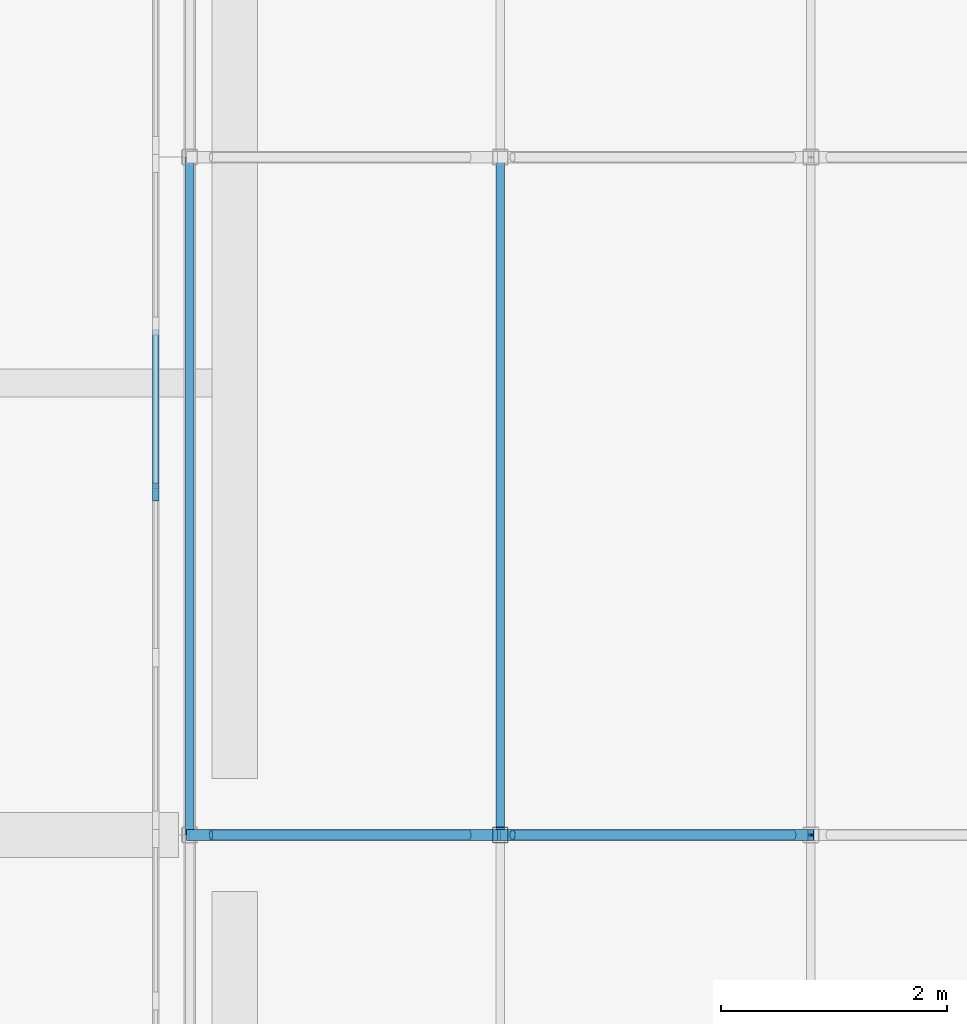
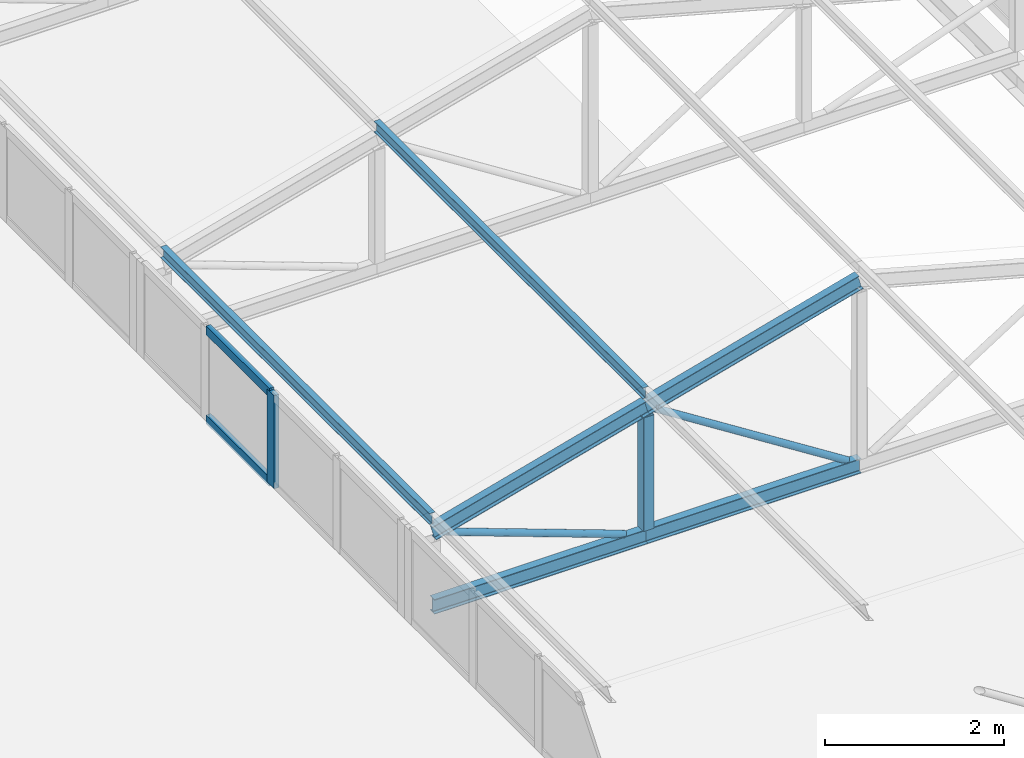
# One storey, part 27 of 94: 12 members, 1 element without a shape of its own.
"""IFC4 building model written with IfcOpenShell, lengths in metres."""

from ifc_helpers import new_model, si_unit, direction, frame, origin, origin_2d, place, context, subcontext, project, spatial, rectangle, hollow_rectangle, hollow_circle, i_section, extrude, material, layer, layer_set, material_profile, profile_set, type_object, element, aggregate, save


model = new_model("IFC4")

# Units and contexts
model_context = context("Model", 3, precision=1e-05, world=origin(), true_north=direction((0.0, 1.0)))
body_context = subcontext(model_context, "Body", "Model", "MODEL_VIEW")
ifc_project = project(units=[si_unit("LENGTHUNIT", "METRE"), si_unit("AREAUNIT", "SQUARE_METRE"), si_unit("VOLUMEUNIT", "CUBIC_METRE"), si_unit("PLANEANGLEUNIT", "RADIAN"), si_unit("MASSUNIT", "GRAM", prefix="KILO")], contexts=[model_context])

# Site, building, storey
site_placement = place(None, origin())
site = spatial("IfcSite", under=ifc_project, at=site_placement, CompositionType="ELEMENT")
building_placement = place(site_placement, origin())
building = spatial("IfcBuilding", under=site, at=building_placement, Name="Lilac Gate Convention Centre", CompositionType="ELEMENT")
storey_placement = place(building_placement, frame((0.0, 0.0, 21.0)))
storey = spatial("IfcBuildingStorey", under=building, at=storey_placement, Name="L04", CompositionType="ELEMENT", Elevation=21.0)

# Curtain wall, members
ifc_material_1 = material(Name="Aluminium framed double glazing", Category="aluminium")
ifc_layer = layer(ifc_material_1, 0.199951171875)
ifc_layer_set = layer_set([ifc_layer], Name="Aluminium framed double glazing")
curtain_wall_type = type_object("IfcCurtainWallType", Name="Unitised curtain wall 1500", PredefinedType="NOTDEFINED", material=ifc_layer_set)
curtain_wall_placement = place(storey_placement, origin())
curtain_wall = element("IfcCurtainWall", 1, at=curtain_wall_placement, inside=storey, type_object=curtain_wall_type, Name="Lantern clerestory W 15", PredefinedType="NOTDEFINED")
ifc_material_2 = material(Name="Aluminium alloy 6063", Category="aluminium")
ifc_material_profile_1 = material_profile(ifc_material_2, rectangle(XDim=0.06005859375, YDim=0.159912109375, at=origin_2d()), Name="Curtain wall mullion 60 x 160")
ifc_profile_set_1 = profile_set([ifc_material_profile_1], Name="Aluminium alloy 6063")
member_type_1 = type_object("IfcMemberType", Name="Curtain wall mullion 60 x 160", PredefinedType="MULLION", material=ifc_profile_set_1)
member_1_placement = place(storey_placement, frame((17.300048828125, 117.03759765625, 0.0), z_axis=(0.0, 0.0, 1.0), x_axis=(-1.0, 0.0, 0.0)))
member_1 = element("IfcMember", 2, at=member_1_placement, type_object=member_type_1, Name="CW mullion 3", PredefinedType="MULLION", context=body_context, shape_type="SweptSolid", body=[
    extrude(rectangle(XDim=0.06005859375, YDim=0.159912109375, at=origin_2d()), origin(), (0.0, 0.0, 1.0), 1.272216796875),
])
ifc_material_profile_2 = material_profile(ifc_material_2, rectangle(XDim=0.06005859375, YDim=0.1201171875, at=origin_2d()), Name="Curtain wall transom 60 x 120")
ifc_profile_set_2 = profile_set([ifc_material_profile_2], Name="Aluminium alloy 6063")
member_type_2 = type_object("IfcMemberType", Name="Curtain wall transom 60 x 120", PredefinedType="USERDEFINED", material=ifc_profile_set_2)
member_2_placement = place(storey_placement, frame((17.300048828125, 117.067626953125, 0.030029296875), z_axis=(0.0, 1.0, 0.0), x_axis=(-1.0, 0.0, 0.0)))
member_2 = element("IfcMember", 3, at=member_2_placement, type_object=member_type_2, Name="CW transom 3.1", ObjectType="TRANSOM", PredefinedType="USERDEFINED", context=body_context, shape_type="SweptSolid", body=[
    extrude(rectangle(XDim=0.06005859375, YDim=0.1201171875, at=origin_2d()), origin(), (0.0, 0.0, 1.0), 1.40869140625),
])
member_3_placement = place(storey_placement, frame((17.300048828125, 117.067626953125, 1.2421875), z_axis=(0.0, 1.0, 0.0), x_axis=(-1.0, 0.0, 0.0)))
member_3 = element("IfcMember", 4, at=member_3_placement, type_object=member_type_2, Name="CW transom 3.2", ObjectType="TRANSOM", PredefinedType="USERDEFINED", context=body_context, shape_type="SweptSolid", body=[
    extrude(rectangle(XDim=0.06005859375, YDim=0.1201171875, at=origin_2d()), origin(), (0.0, 0.0, 1.0), 1.40869140625),
])
aggregate(curtain_wall, [member_1, member_2, member_3])

# Members
ifc_material_3 = material(Name="Steel Q355B", Category="steel")
ifc_material_profile_3 = material_profile(ifc_material_3, i_section(OverallWidth=0.10009765625, OverallDepth=0.199951171875, WebThickness=0.005615234375, FlangeThickness=0.008056640625, FilletRadius=0.008056640625, at=origin_2d()), Name="HN200x100x5.5x8")
ifc_profile_set_3 = profile_set([ifc_material_profile_3], Name="Steel Q355B")
member_type_3 = type_object("IfcMemberType", Name="Lantern bottom chord HN200x100x5.5x8", PredefinedType="CHORD", material=ifc_profile_set_3)
for number, where, z_axis, x_axis, name in (
    (5, (17.60009765625, 114.0, 0.10009765625), (1.0, 0.0, 0.0), (0.0, 1.0, 0.0), "LB1 lantern truss 15 bottom chord 1"),
    (6, (20.35009765625, 114.0, 0.10009765625), (1.0, 0.0, 0.0), (0.0, 1.0, 0.0), "LB1 lantern truss 15 bottom chord 2"),
):
    element("IfcMember", number, at=place(storey_placement, frame(where, z_axis=z_axis, x_axis=x_axis)), inside=storey, type_object=member_type_3, Name=name, PredefinedType="CHORD", context=body_context, shape_type="SweptSolid", body=[
        extrude(i_section(OverallWidth=0.10009765625, OverallDepth=0.199951171875, WebThickness=0.005615234375, FlangeThickness=0.008056640625, FilletRadius=0.008056640625, at=origin_2d()), origin(), (0.0, 0.0, 1.0), 2.75),
    ])
ifc_material_profile_4 = material_profile(ifc_material_3, hollow_circle(Radius=0.04443359375, WallThickness=0.0048828125, at=origin_2d()), Name="CHS88.9x5")
ifc_profile_set_4 = profile_set([ifc_material_profile_4], Name="Steel Q355B")
member_type_4 = type_object("IfcMemberType", Name="Lantern diagonal CHS88.9x5", PredefinedType="BRACE", material=ifc_profile_set_4)
member_4_placement = place(storey_placement, frame((17.789794921875, 114.0, 1.031005859375), z_axis=(0.939781696917, 0.0, -0.341775309434), x_axis=(0.0, 1.0, 0.0)))
element("IfcMember", 7, at=member_4_placement, inside=storey, type_object=member_type_4, Name="LW1 lantern truss 15 diagonal 1", PredefinedType="BRACE", context=body_context, shape_type="SweptSolid", body=[
    extrude(hollow_circle(Radius=0.04443359375, WallThickness=0.0048828125, at=origin_2d()), origin(), (0.0, 0.0, 1.0), 2.431640625),
])
member_5_placement = place(storey_placement, frame((20.45849609375, 114.0, 1.781005859375), z_axis=(0.843647832412, 0.0, -0.536896949951), x_axis=(0.0, 1.0, 0.0)))
element("IfcMember", 8, at=member_5_placement, inside=storey, type_object=member_type_4, Name="LW1 lantern truss 15 diagonal 2", PredefinedType="BRACE", context=body_context, shape_type="SweptSolid", body=[
    extrude(hollow_circle(Radius=0.04443359375, WallThickness=0.0048828125, at=origin_2d()), origin(), (0.0, 0.0, 1.0), 2.94482421875),
])
ifc_material_profile_5 = material_profile(ifc_material_3, hollow_rectangle(XDim=0.139892578125, YDim=0.139892578125, WallThickness=0.0048828125, InnerFilletRadius=0.0048828125, OuterFilletRadius=0.010009765625, at=origin_2d()), Name="SHS140x140x5")
ifc_profile_set_5 = profile_set([ifc_material_profile_5], Name="Steel Q355B")
member_type_5 = type_object("IfcMemberType", Name="Lantern post SHS140x140x5", PredefinedType="STRUT", material=ifc_profile_set_5)
member_6_placement = place(storey_placement, frame((20.35009765625, 114.0, 0.199951171875), z_axis=(0.0, 0.0, 1.0), x_axis=(1.0, 0.0, 0.0)))
element("IfcMember", 9, at=member_6_placement, inside=storey, type_object=member_type_5, Name="LV1 lantern truss 15 post 2", PredefinedType="STRUT", context=body_context, shape_type="SweptSolid", body=[
    extrude(hollow_rectangle(XDim=0.139892578125, YDim=0.139892578125, WallThickness=0.0048828125, InnerFilletRadius=0.0048828125, OuterFilletRadius=0.010009765625, at=origin_2d()), origin(), (0.0, 0.0, 1.0), 1.546142578125),
])
ifc_material_profile_6 = material_profile(ifc_material_3, i_section(OverallWidth=0.074951171875, OverallDepth=0.14990234375, WebThickness=0.0048828125, FlangeThickness=0.007080078125, FilletRadius=0.008056640625, at=origin_2d()), Name="HN150x75x5x7")
ifc_profile_set_6 = profile_set([ifc_material_profile_6], Name="Steel Q355B")
member_type_6 = type_object("IfcMemberType", Name="Lantern purlin HN150x75x5x7", PredefinedType="PURLIN", material=ifc_profile_set_6)
for number, where, z_axis, x_axis, name in (
    (10, (17.60009765625, 114.0, 1.279052734375), (0.0, 1.0, 0.0), (-1.0, 0.0, 0.0), "LP1 lantern purlin bay 15 line 1"),
    (11, (20.35009765625, 114.0, 2.029052734375), (0.0, 1.0, 0.0), (-1.0, 0.0, 0.0), "LP1 lantern purlin bay 15 line 2"),
):
    element("IfcMember", number, at=place(storey_placement, frame(where, z_axis=z_axis, x_axis=x_axis)), inside=storey, type_object=member_type_6, Name=name, PredefinedType="PURLIN", context=body_context, shape_type="SweptSolid", body=[
        extrude(i_section(OverallWidth=0.074951171875, OverallDepth=0.14990234375, WebThickness=0.0048828125, FlangeThickness=0.007080078125, FilletRadius=0.008056640625, at=origin_2d()), origin(), (0.0, 0.0, 1.0), 6.0),
    ])
ifc_material_profile_7 = material_profile(ifc_material_3, i_section(OverallWidth=0.10009765625, OverallDepth=0.199951171875, WebThickness=0.005615234375, FlangeThickness=0.008056640625, FilletRadius=0.008056640625, at=origin_2d()), Name="HN200x100x5.5x8")
ifc_profile_set_7 = profile_set([ifc_material_profile_7], Name="Steel Q355B")
member_type_7 = type_object("IfcMemberType", Name="Lantern top chord HN200x100x5.5x8", PredefinedType="CHORD", material=ifc_profile_set_7)
for number, where, z_axis, x_axis, name in (
    (12, (17.60009765625, 114.0, 1.10009765625), (0.964763821238, 0.0, 0.263117405792), (0.0, 1.0, 0.0), "LT1 lantern truss 15 top chord 1"),
    (13, (20.35009765625, 114.0, 1.85009765625), (0.964763821238, 0.0, 0.263117405792), (0.0, 1.0, 0.0), "LT1 lantern truss 15 top chord 2"),
):
    element("IfcMember", number, at=place(storey_placement, frame(where, z_axis=z_axis, x_axis=x_axis)), inside=storey, type_object=member_type_7, Name=name, PredefinedType="CHORD", context=body_context, shape_type="SweptSolid", body=[
        extrude(i_section(OverallWidth=0.10009765625, OverallDepth=0.199951171875, WebThickness=0.005615234375, FlangeThickness=0.008056640625, FilletRadius=0.008056640625, at=origin_2d()), origin(), (0.0, 0.0, 1.0), 2.850341796875),
    ])

save(model, "model.ifc")
